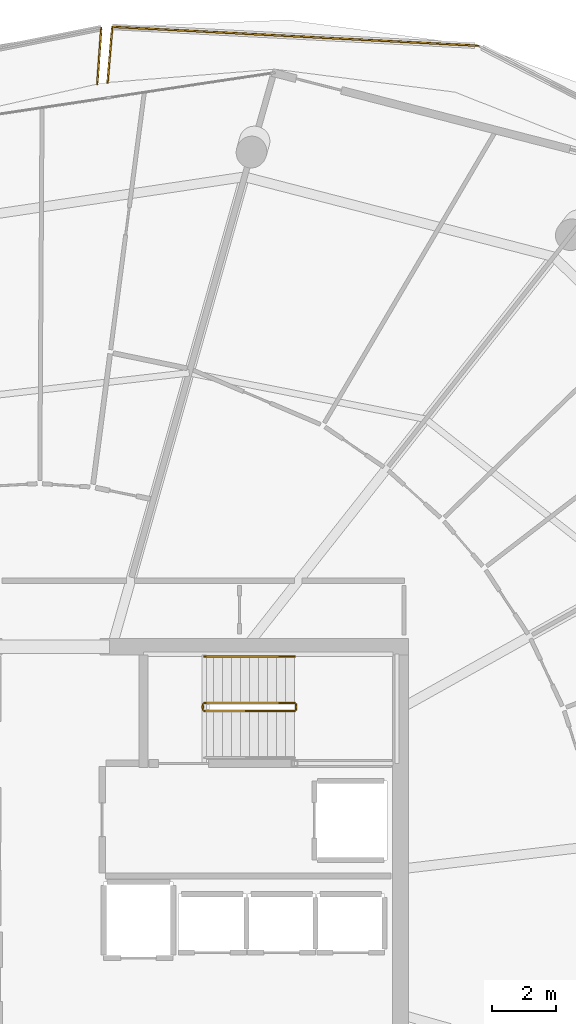
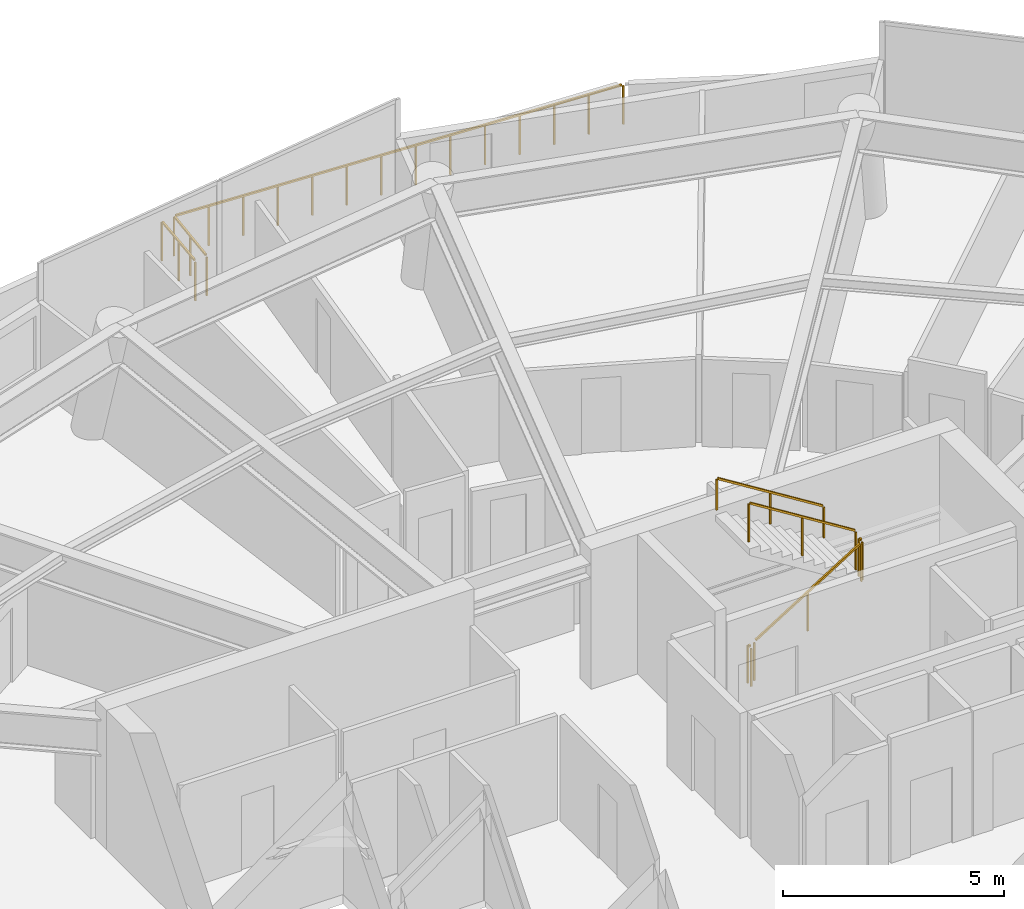
# One storey, part 29 of 30: 8 railings.
"""IFC4 building model written with IfcOpenShell, lengths in metres."""

import ifcopenshell
import ifcopenshell.guid

model = None  # the IFC model being written
_history = None  # IfcOwnerHistory: only IFC2X3 demands one
_inside = {}  # id of a spatial element -> (the spatial element, [elements in it])
_under = {}  # id of a project, library or spatial element -> (it, [spatial elements below it])
_declared = {}  # id of a project -> (the project, [libraries it declares])
_typed = {}  # id of a type object -> (the type object, [elements of that type])
_made_of = {}  # id of a material, layer set ... -> (it, [elements and type objects made of it])


def new_model(schema):
    """Start an empty IFC model of exactly this schema.

    Asked for "IFC4X3", IfcOpenShell would pick the latest addendum, in which some entities
    have other attributes; the version numbers below select the first issue.
    IFC2X3 requires an IfcOwnerHistory on every rooted entity: one is made here for all.
    """
    global model, _history
    if schema == "IFC4X3":
        model = ifcopenshell.file(schema_version=(4, 3, 0, 0))
    else:
        model = ifcopenshell.file(schema=schema)
    _inside.clear()
    _under.clear()
    _declared.clear()
    _typed.clear()
    _made_of.clear()
    _history = None
    if model.schema == "IFC2X3":
        org = make("IfcOrganization", Name="unknown")
        user = make(
            "IfcPersonAndOrganization",
            ThePerson=make("IfcPerson", FamilyName="unknown"),
            TheOrganization=org,
        )
        app = make(
            "IfcApplication",
            ApplicationDeveloper=org,
            Version="unknown",
            ApplicationFullName="unknown",
            ApplicationIdentifier="unknown",
        )
        _history = make(
            "IfcOwnerHistory",
            OwningUser=user,
            OwningApplication=app,
            ChangeAction="ADDED",
            CreationDate=0,
        )
    return model


def make(cls, **values):
    """One entity of the class cls with the attributes given. An attribute that is None is left unset."""
    return model.create_entity(
        cls, **{name: value for name, value in values.items() if value is not None}
    )


def rooted(cls, **values):
    """An entity with a GlobalId (a new one), such as an element, a storey or a relation."""
    return make(cls, GlobalId=ifcopenshell.guid.new(), OwnerHistory=_history, **values)


def si_unit(unit_type, name, prefix=None):
    """IfcSIUnit, for example si_unit("LENGTHUNIT", "METRE", prefix="MILLI")."""
    return make("IfcSIUnit", UnitType=unit_type, Prefix=prefix, Name=name)


def assignment(units):
    """IfcUnitAssignment: the units of a project."""
    return None if units is None else make("IfcUnitAssignment", Units=units)


def point(xyz):
    """IfcCartesianPoint."""
    return None if xyz is None else make("IfcCartesianPoint", Coordinates=xyz)


def direction(xyz):
    """IfcDirection."""
    return None if xyz is None else make("IfcDirection", DirectionRatios=xyz)


def frame(location, z_axis=None, x_axis=None):
    """IfcAxis2Placement3D, a coordinate frame: its origin and axes. An axis left out is left unset."""
    return make(
        "IfcAxis2Placement3D",
        Location=point(location),
        Axis=direction(z_axis),
        RefDirection=direction(x_axis),
    )


def frame_2d(location, x_axis=None):
    """IfcAxis2Placement2D, a coordinate frame in the plane: its origin and x axis."""
    return make(
        "IfcAxis2Placement2D", Location=point(location), RefDirection=direction(x_axis)
    )


def origin():
    """The frame at (0, 0, 0) with its axes left unset."""
    return frame((0.0, 0.0, 0.0))


def origin_2d():
    """The frame at (0, 0) in the plane with its x axis left unset."""
    return frame_2d((0.0, 0.0))


def place(relative_to, where):
    """IfcLocalPlacement: puts the frame where relative to a parent placement (None: the world)."""
    return make(
        "IfcLocalPlacement", PlacementRelTo=relative_to, RelativePlacement=where
    )


def context(
    kind, dimensions, precision=None, world=None, true_north=None, identifier=None
):
    """IfcGeometricRepresentationContext, for example the 3D "Model" context."""
    return make(
        "IfcGeometricRepresentationContext",
        ContextIdentifier=identifier,
        ContextType=kind,
        CoordinateSpaceDimension=dimensions,
        Precision=precision,
        WorldCoordinateSystem=world,
        TrueNorth=true_north,
    )


def subcontext(parent, identifier, kind, view, scale=None):
    """IfcGeometricRepresentationSubContext, for example "Body" below "Model"."""
    return make(
        "IfcGeometricRepresentationSubContext",
        ContextIdentifier=identifier,
        ContextType=kind,
        ParentContext=parent,
        TargetScale=scale,
        TargetView=view,
    )


def project(units=None, contexts=None):
    """IfcProject with its units and contexts."""
    return rooted(
        "IfcProject",
        Name="project",
        RepresentationContexts=contexts,
        UnitsInContext=assignment(units),
    )


def spatial(cls, under=None, at=None, **own):
    """A site, building, storey or space (cls), placed at a placement, below another one or the project."""
    s = rooted(cls, ObjectPlacement=at, **own)
    if under is not None:
        _under.setdefault(under.id(), (under, []))[1].append(s)
    return s


def profile(cls, at=None, kind="AREA", **sizes):
    """A parametric profile (cls). Its sizes go by their IFC names, for example OverallWidth=200.0."""
    return make(cls, ProfileType=kind, Position=at, **sizes)


def rectangle(**sizes):
    """IfcRectangleProfileDef."""
    return profile("IfcRectangleProfileDef", **sizes)


def extrude(swept, where, along, depth):
    """IfcExtrudedAreaSolid: the profile swept, set in the frame where, extruded along a direction by depth."""
    return make(
        "IfcExtrudedAreaSolid",
        SweptArea=swept,
        Position=where,
        ExtrudedDirection=direction(along),
        Depth=depth,
    )


def shape(context_of_items, identifier, shape_type, items):
    """IfcShapeRepresentation: the items that make up one representation, for example the "Body"."""
    return make(
        "IfcShapeRepresentation",
        ContextOfItems=context_of_items,
        RepresentationIdentifier=identifier,
        RepresentationType=shape_type,
        Items=items,
    )


def material(Name=None, Category=None):
    """IfcMaterial."""
    return make("IfcMaterial", Name=Name, Category=Category)


def made_of(thing, what):
    """Note that an element or type object is made of a material, layer set ...; save() writes the relation."""
    if what is not None:
        _made_of.setdefault(what.id(), (what, []))[1].append(thing)
    return thing


def type_object(cls, material=None, **own):
    """A type object (cls), such as IfcWallType, which elements share."""
    return made_of(rooted(cls, **own), material)


def element(
    cls,
    number,
    at=None,
    inside=None,
    cuts=None,
    type_object=None,
    material=None,
    context=None,
    identifier="Body",
    shape_type=None,
    held_by="IfcProductDefinitionShape",
    body=None,
    shapes=None,
    **own,
):
    """One element of the class cls, such as IfcWall. Its Tag is "e" and its number.

    at: its placement. inside: the storey or other place that contains it. cuts: it is an
    opening in that element (IfcRelVoidsElement). A single representation is given by context,
    identifier, shape_type and body (its items); several are given by shapes. held_by: the class
    of the entity that holds the representations. save() writes the other relations.
    """
    e = rooted(cls, Tag="e%d" % number, ObjectPlacement=at, **own)
    if body is not None:
        shapes = [shape(context, identifier, shape_type, body)]
    if shapes is not None:
        e.Representation = make(held_by, Representations=shapes)
    if inside is not None:
        _inside.setdefault(inside.id(), (inside, []))[1].append(e)
    if cuts is not None:
        rooted(
            "IfcRelVoidsElement", RelatingBuildingElement=cuts, RelatedOpeningElement=e
        )
    if type_object is not None:
        _typed.setdefault(type_object.id(), (type_object, []))[1].append(e)
    return made_of(e, material)


def aggregate(whole, parts):
    """IfcRelAggregates: a whole, such as a stair, and the parts it consists of."""
    return rooted("IfcRelAggregates", RelatingObject=whole, RelatedObjects=parts)


def save(model, path):
    """Write the relations noted so far, then the file.

    IfcRelAggregates (storeys below a building ...), IfcRelContainedInSpatialStructure (elements
    in a storey), IfcRelDefinesByType, IfcRelAssociatesMaterial and IfcRelDeclares: one each for
    every whole, place, type object, material and project.
    """
    for whole, parts in _under.values():
        aggregate(whole, parts)
    for where, things in _inside.values():
        rooted(
            "IfcRelContainedInSpatialStructure",
            RelatedElements=things,
            RelatingStructure=where,
        )
    for kind, things in _typed.values():
        rooted("IfcRelDefinesByType", RelatedObjects=things, RelatingType=kind)
    for what, things in _made_of.values():
        rooted("IfcRelAssociatesMaterial", RelatedObjects=things, RelatingMaterial=what)
    for by, libraries in _declared.values():
        rooted("IfcRelDeclares", RelatingContext=by, RelatedDefinitions=libraries)
    model.write(path)


model = new_model("IFC4")

# Units and contexts
model_context = context("Model", 3, precision=1e-05, world=origin(), true_north=direction((0.0, 1.0)))
body_context = subcontext(model_context, "Body", "Model", "MODEL_VIEW")
ifc_project = project(units=[si_unit("LENGTHUNIT", "METRE"), si_unit("AREAUNIT", "SQUARE_METRE"), si_unit("VOLUMEUNIT", "CUBIC_METRE"), si_unit("PLANEANGLEUNIT", "RADIAN"), si_unit("MASSUNIT", "GRAM", prefix="KILO")], contexts=[model_context])

# Site, building, storey
site_placement = place(None, origin())
site = spatial("IfcSite", under=ifc_project, at=site_placement, CompositionType="ELEMENT")
building_placement = place(site_placement, origin())
building = spatial("IfcBuilding", under=site, at=building_placement, Name="Kazma Halo Residences", CompositionType="ELEMENT")
storey_placement = place(building_placement, frame((0.0, 0.0, 302.14990234375)))
storey = spatial("IfcBuildingStorey", under=building, at=storey_placement, Name="L76", CompositionType="ELEMENT", Elevation=302.14990234375)

# Railings
ifc_material_1 = material(Name="Aluminium AW-6063 T6 Brushed Cap Rail", Category="aluminium")
railing_type_1 = type_object("IfcRailingType", Name="RLG-BAL-CAP-1120", PredefinedType="BALUSTRADE", material=ifc_material_1)
railing_1_placement = place(storey_placement, frame((61.72509765625, 68.936767578125, 0.0)))
element("IfcRailing", 1, at=railing_1_placement, inside=storey, type_object=railing_type_1, Name="L76 NE wave balcony guard 3", PredefinedType="BALUSTRADE", context=body_context, shape_type="SweptSolid", body=[
    extrude(rectangle(XDim=0.050048828125, YDim=0.050048828125, at=origin_2d()), frame((-0.04248046875, 0.002197265625, 1.09521484375), z_axis=(-0.998674943088, 0.051462200188, 0.0), x_axis=(-0.051462200188, -0.998674943088, 0.0)), (0.0, 0.0, 1.0), 11.319580078125),
    extrude(rectangle(XDim=0.0400390625, YDim=0.0400390625, at=origin_2d()), origin(), (0.0, 0.0, 1.0), 1.05810546875),
    extrude(rectangle(XDim=0.0400390625, YDim=0.0400390625, at=origin_2d()), frame((-0.876220703125, 0.045166015625, 0.0)), (0.0, 0.0, 1.0), 1.05810546875),
    extrude(rectangle(XDim=0.0400390625, YDim=0.0400390625, at=origin_2d()), frame((-1.752197265625, 0.09033203125, 0.0)), (0.0, 0.0, 1.0), 1.05810546875),
    extrude(rectangle(XDim=0.0400390625, YDim=0.0400390625, at=origin_2d()), frame((-2.62841796875, 0.135498046875, 0.0)), (0.0, 0.0, 1.0), 1.05810546875),
    extrude(rectangle(XDim=0.0400390625, YDim=0.0400390625, at=origin_2d()), frame((-3.50439453125, 0.1806640625, 0.0)), (0.0, 0.0, 1.0), 1.05810546875),
    extrude(rectangle(XDim=0.0400390625, YDim=0.0400390625, at=origin_2d()), frame((-4.380615234375, 0.225830078125, 0.0)), (0.0, 0.0, 1.0), 1.05810546875),
    extrude(rectangle(XDim=0.0400390625, YDim=0.0400390625, at=origin_2d()), frame((-5.2568359375, 0.27099609375, 0.0)), (0.0, 0.0, 1.0), 1.05810546875),
    extrude(rectangle(XDim=0.0400390625, YDim=0.0400390625, at=origin_2d()), frame((-6.1328125, 0.31591796875, 0.0)), (0.0, 0.0, 1.0), 1.05810546875),
    extrude(rectangle(XDim=0.0400390625, YDim=0.0400390625, at=origin_2d()), frame((-7.009033203125, 0.361083984375, 0.0)), (0.0, 0.0, 1.0), 1.05810546875),
    extrude(rectangle(XDim=0.0400390625, YDim=0.0400390625, at=origin_2d()), frame((-7.88525390625, 0.40625, 0.0)), (0.0, 0.0, 1.0), 1.05810546875),
    extrude(rectangle(XDim=0.0400390625, YDim=0.0400390625, at=origin_2d()), frame((-8.76123046875, 0.451416015625, 0.0)), (0.0, 0.0, 1.0), 1.05810546875),
    extrude(rectangle(XDim=0.0400390625, YDim=0.0400390625, at=origin_2d()), frame((-9.637451171875, 0.49658203125, 0.0)), (0.0, 0.0, 1.0), 1.05810546875),
    extrude(rectangle(XDim=0.0400390625, YDim=0.0400390625, at=origin_2d()), frame((-10.513427734375, 0.541748046875, 0.0)), (0.0, 0.0, 1.0), 1.05810546875),
    extrude(rectangle(XDim=0.0400390625, YDim=0.0400390625, at=origin_2d()), frame((-11.3896484375, 0.5869140625, 0.0)), (0.0, 0.0, 1.0), 1.05810546875),
])
railing_2_placement = place(storey_placement, frame((50.33544921875, 69.523681640625, 0.0)))
element("IfcRailing", 2, at=railing_2_placement, inside=storey, type_object=railing_type_1, Name="L76 NE wave balcony guard 4", PredefinedType="BALUSTRADE", context=body_context, shape_type="SweptSolid", body=[
    extrude(rectangle(XDim=0.050048828125, YDim=0.050048828125, at=origin_2d()), frame((-0.003662109375, -0.04248046875, 1.09521484375), z_axis=(-0.084535390585, -0.996420477378, 0.0), x_axis=(0.996420477378, -0.084535390585, 0.0)), (0.0, 0.0, 1.0), 1.650634765625),
    extrude(rectangle(XDim=0.0400390625, YDim=0.0400390625, at=origin_2d()), origin(), (0.0, 0.0, 1.0), 1.05810546875),
    extrude(rectangle(XDim=0.0400390625, YDim=0.0400390625, at=origin_2d()), frame((-0.0732421875, -0.86474609375, 0.0)), (0.0, 0.0, 1.0), 1.05810546875),
    extrude(rectangle(XDim=0.0400390625, YDim=0.0400390625, at=origin_2d()), frame((-0.146728515625, -1.7294921875, 0.0)), (0.0, 0.0, 1.0), 1.05810546875),
])
railing_3_placement = place(storey_placement, frame((49.8681640625, 67.74609375, 0.0)))
element("IfcRailing", 3, at=railing_3_placement, inside=storey, type_object=railing_type_1, Name="L76 NNW wave balcony guard 1", PredefinedType="BALUSTRADE", context=body_context, shape_type="SweptSolid", body=[
    extrude(rectangle(XDim=0.050048828125, YDim=0.050048828125, at=origin_2d()), frame((0.003173828125, 0.04248046875, 1.09521484375), z_axis=(0.072350928263, 0.997379237391, 0.0), x_axis=(-0.997379237391, 0.072350928263, 0.0)), (0.0, 0.0, 1.0), 1.659423828125),
    extrude(rectangle(XDim=0.0400390625, YDim=0.0400390625, at=origin_2d()), origin(), (0.0, 0.0, 1.0), 1.05810546875),
    extrude(rectangle(XDim=0.0400390625, YDim=0.0400390625, at=origin_2d()), frame((0.06298828125, 0.8701171875, 0.0)), (0.0, 0.0, 1.0), 1.05810546875),
    extrude(rectangle(XDim=0.0400390625, YDim=0.0400390625, at=origin_2d()), frame((0.126220703125, 1.739990234375, 0.0)), (0.0, 0.0, 1.0), 1.05810546875),
])
ifc_material_2 = material(Name="Painted Steel S355", Category="steel")
railing_type_2 = type_object("IfcRailingType", Name="RLG-STAIR-GRD-1100", PredefinedType="GUARDRAIL", material=ifc_material_2)
railing_4_placement = place(storey_placement, frame((53.199951171875, 48.25, 0.175048828125)))
element("IfcRailing", 4, at=railing_4_placement, inside=storey, type_object=railing_type_2, Name="L76 ST-02 stair guard 1", PredefinedType="GUARDRAIL", context=body_context, shape_type="SweptSolid", body=[
    extrude(rectangle(XDim=0.050048828125, YDim=0.050048828125, at=origin_2d()), frame((0.0361328125, 0.0, 1.09765625), z_axis=(0.848002457836, 0.0, 0.529992293815), x_axis=(0.0, 1.0, 0.0)), (0.0, 0.0, 1.0), 3.216796875),
    extrude(rectangle(XDim=0.0400390625, YDim=0.0400390625, at=origin_2d()), origin(), (0.0, 0.0, 1.0), 1.0380859375),
    extrude(rectangle(XDim=0.0400390625, YDim=0.0400390625, at=origin_2d()), frame((1.39990234375, 0.0, 0.875)), (0.0, 0.0, 1.0), 1.0380859375),
    extrude(rectangle(XDim=0.0400390625, YDim=0.0400390625, at=origin_2d()), frame((2.800048828125, 0.0, 1.75)), (0.0, 0.0, 1.0), 1.0380859375),
])
railing_5_placement = place(storey_placement, frame((56.050048828125, 48.300048828125, 1.925048828125)))
element("IfcRailing", 5, at=railing_5_placement, inside=storey, type_object=railing_type_2, Name="L76 ST-02 stair guard 2", PredefinedType="GUARDRAIL", context=body_context, shape_type="SweptSolid", body=[
    extrude(rectangle(XDim=0.050048828125, YDim=0.050048828125, at=origin_2d()), frame((0.0, 0.04248046875, 1.0751953125), z_axis=(0.0, 1.0, 0.0), x_axis=(-1.0, 0.0, 0.0)), (0.0, 0.0, 1.0), 0.06494140625),
    extrude(rectangle(XDim=0.0400390625, YDim=0.0400390625, at=origin_2d()), origin(), (0.0, 0.0, 1.0), 1.0380859375),
    extrude(rectangle(XDim=0.0400390625, YDim=0.0400390625, at=origin_2d()), frame((0.0, 0.14990234375, 0.0)), (0.0, 0.0, 1.0), 1.0380859375),
])
railing_6_placement = place(storey_placement, frame((56.0, 48.5, 2.10009765625)))
element("IfcRailing", 6, at=railing_6_placement, inside=storey, type_object=railing_type_2, Name="L76 ST-02 stair guard 3", PredefinedType="GUARDRAIL", context=body_context, shape_type="SweptSolid", body=[
    extrude(rectangle(XDim=0.050048828125, YDim=0.050048828125, at=origin_2d()), frame((-0.0361328125, 0.0, 1.09765625), z_axis=(-0.848002457836, 0.0, 0.529992293815), x_axis=(0.0, -1.0, 0.0)), (0.0, 0.0, 1.0), 3.216796875),
    extrude(rectangle(XDim=0.0400390625, YDim=0.0400390625, at=origin_2d()), origin(), (0.0, 0.0, 1.0), 1.0380859375),
    extrude(rectangle(XDim=0.0400390625, YDim=0.0400390625, at=origin_2d()), frame((-1.39990234375, 0.0, 0.875)), (0.0, 0.0, 1.0), 1.0380859375),
    extrude(rectangle(XDim=0.0400390625, YDim=0.0400390625, at=origin_2d()), frame((-2.800048828125, 0.0, 1.75)), (0.0, 0.0, 1.0), 1.0380859375),
])
railing_7_placement = place(storey_placement, frame((53.14990234375, 48.300048828125, 0.0)))
element("IfcRailing", 7, at=railing_7_placement, inside=storey, type_object=railing_type_2, Name="L76 ST-02 stair guard 4", PredefinedType="GUARDRAIL", context=body_context, shape_type="SweptSolid", body=[
    extrude(rectangle(XDim=0.050048828125, YDim=0.050048828125, at=origin_2d()), frame((0.0, 0.04248046875, 1.0751953125), z_axis=(0.0, 1.0, 0.0), x_axis=(-1.0, 0.0, 0.0)), (0.0, 0.0, 1.0), 0.06494140625),
    extrude(rectangle(XDim=0.0400390625, YDim=0.0400390625, at=origin_2d()), origin(), (0.0, 0.0, 1.0), 1.0380859375),
    extrude(rectangle(XDim=0.0400390625, YDim=0.0400390625, at=origin_2d()), frame((0.0, 0.14990234375, 0.0)), (0.0, 0.0, 1.0), 1.0380859375),
])
ifc_material_3 = material(Name="Brushed Stainless Steel", Category="steel")
railing_type_3 = type_object("IfcRailingType", Name="RLG-STAIR-HND-900", PredefinedType="HANDRAIL", material=ifc_material_3)
railing_8_placement = place(storey_placement, frame((56.0, 49.949951171875, 2.10009765625)))
element("IfcRailing", 8, at=railing_8_placement, inside=storey, type_object=railing_type_3, Name="L76 ST-02 stair handrail 2", PredefinedType="HANDRAIL", context=body_context, shape_type="SweptSolid", body=[
    extrude(rectangle(XDim=0.050048828125, YDim=0.050048828125, at=origin_2d()), frame((-0.0361328125, 0.0, 0.8974609375), z_axis=(-0.848002457836, 0.0, 0.529992293815), x_axis=(0.0, -1.0, 0.0)), (0.0, 0.0, 1.0), 3.216796875),
    extrude(rectangle(XDim=0.0400390625, YDim=0.0400390625, at=origin_2d()), origin(), (0.0, 0.0, 1.0), 0.837890625),
    extrude(rectangle(XDim=0.0400390625, YDim=0.0400390625, at=origin_2d()), frame((-1.39990234375, 0.0, 0.875)), (0.0, 0.0, 1.0), 0.837890625),
    extrude(rectangle(XDim=0.0400390625, YDim=0.0400390625, at=origin_2d()), frame((-2.800048828125, 0.0, 1.75)), (0.0, 0.0, 1.0), 0.837890625),
])

save(model, "model.ifc")
